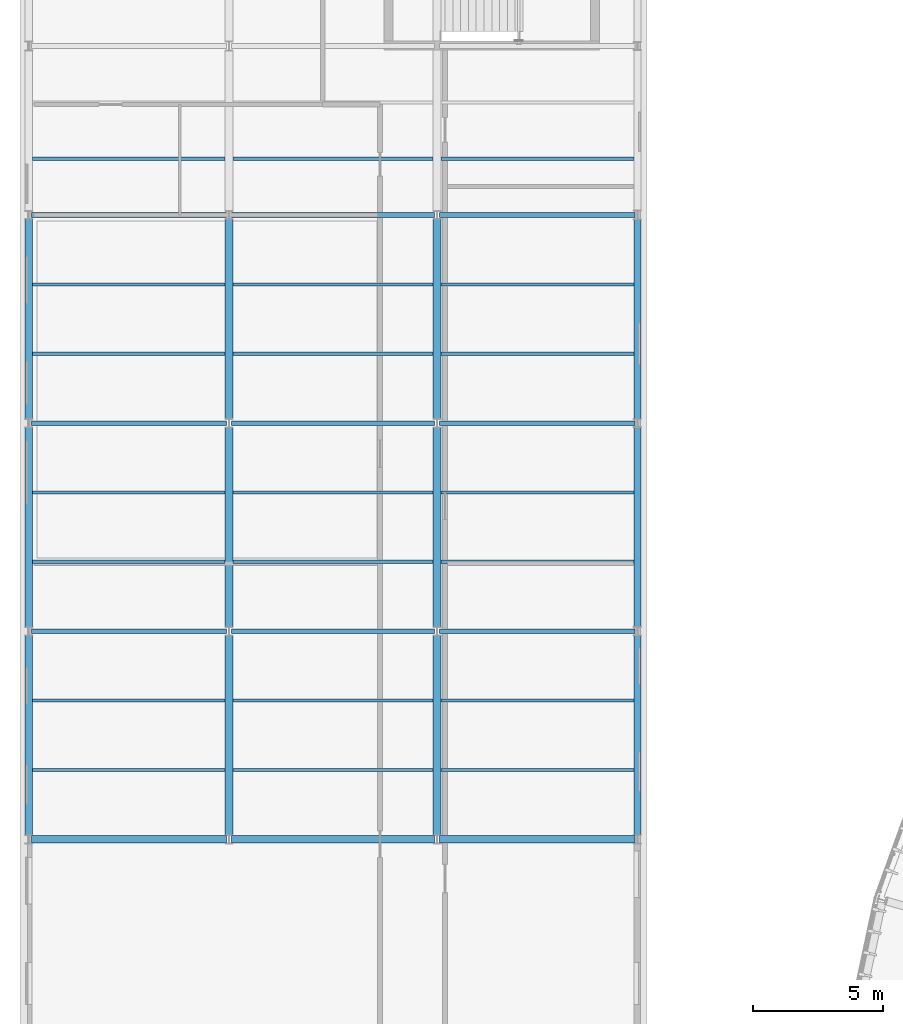
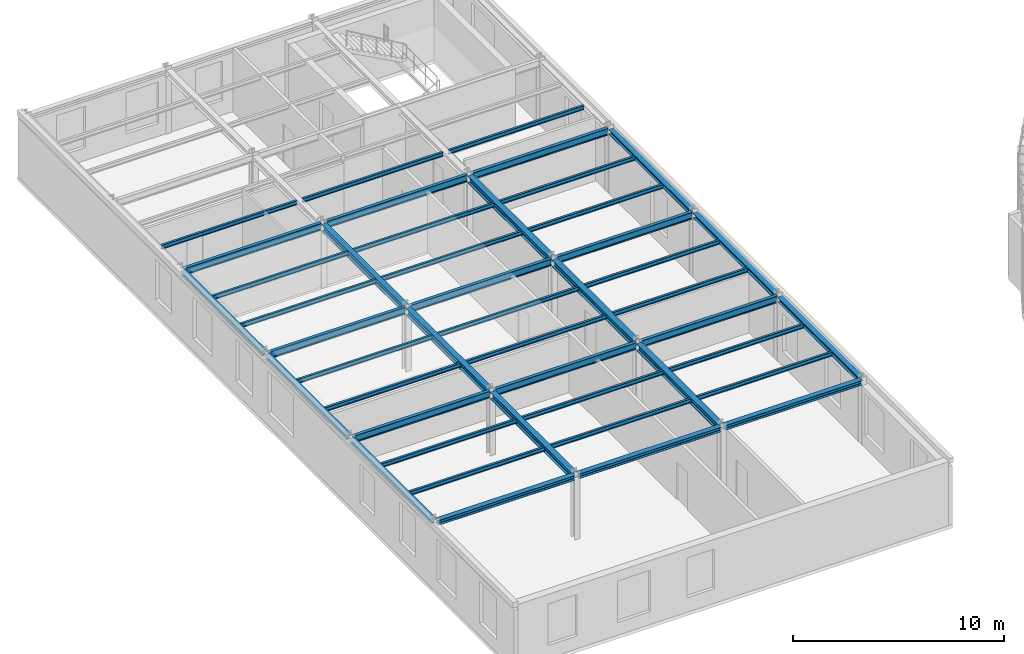
# One storey, part 10 of 41: 45 beams.
"""IFC4 building model written with IfcOpenShell, lengths in metres."""

import ifcopenshell
import ifcopenshell.guid

model = None  # the IFC model being written
_history = None  # IfcOwnerHistory: only IFC2X3 demands one
_inside = {}  # id of a spatial element -> (the spatial element, [elements in it])
_under = {}  # id of a project, library or spatial element -> (it, [spatial elements below it])
_declared = {}  # id of a project -> (the project, [libraries it declares])
_typed = {}  # id of a type object -> (the type object, [elements of that type])
_made_of = {}  # id of a material, layer set ... -> (it, [elements and type objects made of it])


def new_model(schema):
    """Start an empty IFC model of exactly this schema.

    Asked for "IFC4X3", IfcOpenShell would pick the latest addendum, in which some entities
    have other attributes; the version numbers below select the first issue.
    IFC2X3 requires an IfcOwnerHistory on every rooted entity: one is made here for all.
    """
    global model, _history
    if schema == "IFC4X3":
        model = ifcopenshell.file(schema_version=(4, 3, 0, 0))
    else:
        model = ifcopenshell.file(schema=schema)
    _inside.clear()
    _under.clear()
    _declared.clear()
    _typed.clear()
    _made_of.clear()
    _history = None
    if model.schema == "IFC2X3":
        org = make("IfcOrganization", Name="unknown")
        user = make(
            "IfcPersonAndOrganization",
            ThePerson=make("IfcPerson", FamilyName="unknown"),
            TheOrganization=org,
        )
        app = make(
            "IfcApplication",
            ApplicationDeveloper=org,
            Version="unknown",
            ApplicationFullName="unknown",
            ApplicationIdentifier="unknown",
        )
        _history = make(
            "IfcOwnerHistory",
            OwningUser=user,
            OwningApplication=app,
            ChangeAction="ADDED",
            CreationDate=0,
        )
    return model


def make(cls, **values):
    """One entity of the class cls with the attributes given. An attribute that is None is left unset."""
    return model.create_entity(
        cls, **{name: value for name, value in values.items() if value is not None}
    )


def rooted(cls, **values):
    """An entity with a GlobalId (a new one), such as an element, a storey or a relation."""
    return make(cls, GlobalId=ifcopenshell.guid.new(), OwnerHistory=_history, **values)


def si_unit(unit_type, name, prefix=None):
    """IfcSIUnit, for example si_unit("LENGTHUNIT", "METRE", prefix="MILLI")."""
    return make("IfcSIUnit", UnitType=unit_type, Prefix=prefix, Name=name)


def assignment(units):
    """IfcUnitAssignment: the units of a project."""
    return None if units is None else make("IfcUnitAssignment", Units=units)


def point(xyz):
    """IfcCartesianPoint."""
    return None if xyz is None else make("IfcCartesianPoint", Coordinates=xyz)


def direction(xyz):
    """IfcDirection."""
    return None if xyz is None else make("IfcDirection", DirectionRatios=xyz)


def frame(location, z_axis=None, x_axis=None):
    """IfcAxis2Placement3D, a coordinate frame: its origin and axes. An axis left out is left unset."""
    return make(
        "IfcAxis2Placement3D",
        Location=point(location),
        Axis=direction(z_axis),
        RefDirection=direction(x_axis),
    )


def frame_2d(location, x_axis=None):
    """IfcAxis2Placement2D, a coordinate frame in the plane: its origin and x axis."""
    return make(
        "IfcAxis2Placement2D", Location=point(location), RefDirection=direction(x_axis)
    )


def origin():
    """The frame at (0, 0, 0) with its axes left unset."""
    return frame((0.0, 0.0, 0.0))


def origin_2d():
    """The frame at (0, 0) in the plane with its x axis left unset."""
    return frame_2d((0.0, 0.0))


def place(relative_to, where):
    """IfcLocalPlacement: puts the frame where relative to a parent placement (None: the world)."""
    return make(
        "IfcLocalPlacement", PlacementRelTo=relative_to, RelativePlacement=where
    )


def context(
    kind, dimensions, precision=None, world=None, true_north=None, identifier=None
):
    """IfcGeometricRepresentationContext, for example the 3D "Model" context."""
    return make(
        "IfcGeometricRepresentationContext",
        ContextIdentifier=identifier,
        ContextType=kind,
        CoordinateSpaceDimension=dimensions,
        Precision=precision,
        WorldCoordinateSystem=world,
        TrueNorth=true_north,
    )


def subcontext(parent, identifier, kind, view, scale=None):
    """IfcGeometricRepresentationSubContext, for example "Body" below "Model"."""
    return make(
        "IfcGeometricRepresentationSubContext",
        ContextIdentifier=identifier,
        ContextType=kind,
        ParentContext=parent,
        TargetScale=scale,
        TargetView=view,
    )


def project(units=None, contexts=None):
    """IfcProject with its units and contexts."""
    return rooted(
        "IfcProject",
        Name="project",
        RepresentationContexts=contexts,
        UnitsInContext=assignment(units),
    )


def spatial(cls, under=None, at=None, **own):
    """A site, building, storey or space (cls), placed at a placement, below another one or the project."""
    s = rooted(cls, ObjectPlacement=at, **own)
    if under is not None:
        _under.setdefault(under.id(), (under, []))[1].append(s)
    return s


def profile(cls, at=None, kind="AREA", **sizes):
    """A parametric profile (cls). Its sizes go by their IFC names, for example OverallWidth=200.0."""
    return make(cls, ProfileType=kind, Position=at, **sizes)


def i_section(**sizes):
    """IfcIShapeProfileDef."""
    return profile("IfcIShapeProfileDef", **sizes)


def extrude(swept, where, along, depth):
    """IfcExtrudedAreaSolid: the profile swept, set in the frame where, extruded along a direction by depth."""
    return make(
        "IfcExtrudedAreaSolid",
        SweptArea=swept,
        Position=where,
        ExtrudedDirection=direction(along),
        Depth=depth,
    )


def shape(context_of_items, identifier, shape_type, items):
    """IfcShapeRepresentation: the items that make up one representation, for example the "Body"."""
    return make(
        "IfcShapeRepresentation",
        ContextOfItems=context_of_items,
        RepresentationIdentifier=identifier,
        RepresentationType=shape_type,
        Items=items,
    )


def material(Name=None, Category=None):
    """IfcMaterial."""
    return make("IfcMaterial", Name=Name, Category=Category)


def material_profile(
    of_material, cross_section, Name=None, Category=None, Priority=None
):
    """IfcMaterialProfile: a cross section and its material."""
    return make(
        "IfcMaterialProfile",
        Name=Name,
        Material=of_material,
        Profile=cross_section,
        Priority=Priority,
        Category=Category,
    )


def profile_set(profiles, Name=None, composite=None):
    """IfcMaterialProfileSet."""
    return make(
        "IfcMaterialProfileSet",
        Name=Name,
        MaterialProfiles=profiles,
        CompositeProfile=composite,
    )


def made_of(thing, what):
    """Note that an element or type object is made of a material, layer set ...; save() writes the relation."""
    if what is not None:
        _made_of.setdefault(what.id(), (what, []))[1].append(thing)
    return thing


def type_object(cls, material=None, **own):
    """A type object (cls), such as IfcWallType, which elements share."""
    return made_of(rooted(cls, **own), material)


def element(
    cls,
    number,
    at=None,
    inside=None,
    cuts=None,
    type_object=None,
    material=None,
    context=None,
    identifier="Body",
    shape_type=None,
    held_by="IfcProductDefinitionShape",
    body=None,
    shapes=None,
    **own,
):
    """One element of the class cls, such as IfcWall. Its Tag is "e" and its number.

    at: its placement. inside: the storey or other place that contains it. cuts: it is an
    opening in that element (IfcRelVoidsElement). A single representation is given by context,
    identifier, shape_type and body (its items); several are given by shapes. held_by: the class
    of the entity that holds the representations. save() writes the other relations.
    """
    e = rooted(cls, Tag="e%d" % number, ObjectPlacement=at, **own)
    if body is not None:
        shapes = [shape(context, identifier, shape_type, body)]
    if shapes is not None:
        e.Representation = make(held_by, Representations=shapes)
    if inside is not None:
        _inside.setdefault(inside.id(), (inside, []))[1].append(e)
    if cuts is not None:
        rooted(
            "IfcRelVoidsElement", RelatingBuildingElement=cuts, RelatedOpeningElement=e
        )
    if type_object is not None:
        _typed.setdefault(type_object.id(), (type_object, []))[1].append(e)
    return made_of(e, material)


def aggregate(whole, parts):
    """IfcRelAggregates: a whole, such as a stair, and the parts it consists of."""
    return rooted("IfcRelAggregates", RelatingObject=whole, RelatedObjects=parts)


def save(model, path):
    """Write the relations noted so far, then the file.

    IfcRelAggregates (storeys below a building ...), IfcRelContainedInSpatialStructure (elements
    in a storey), IfcRelDefinesByType, IfcRelAssociatesMaterial and IfcRelDeclares: one each for
    every whole, place, type object, material and project.
    """
    for whole, parts in _under.values():
        aggregate(whole, parts)
    for where, things in _inside.values():
        rooted(
            "IfcRelContainedInSpatialStructure",
            RelatedElements=things,
            RelatingStructure=where,
        )
    for kind, things in _typed.values():
        rooted("IfcRelDefinesByType", RelatedObjects=things, RelatingType=kind)
    for what, things in _made_of.values():
        rooted("IfcRelAssociatesMaterial", RelatedObjects=things, RelatingMaterial=what)
    for by, libraries in _declared.values():
        rooted("IfcRelDeclares", RelatingContext=by, RelatedDefinitions=libraries)
    model.write(path)


model = new_model("IFC4")

# Units and contexts
model_context = context("Model", 3, precision=1e-05, world=origin(), true_north=direction((0.0, 1.0)))
body_context = subcontext(model_context, "Body", "Model", "MODEL_VIEW")
ifc_project = project(units=[si_unit("LENGTHUNIT", "METRE"), si_unit("AREAUNIT", "SQUARE_METRE"), si_unit("VOLUMEUNIT", "CUBIC_METRE"), si_unit("PLANEANGLEUNIT", "RADIAN"), si_unit("MASSUNIT", "GRAM", prefix="KILO"), si_unit("THERMODYNAMICTEMPERATUREUNIT", "KELVIN"), si_unit("POWERUNIT", "WATT")], contexts=[model_context])

# Site, building, storey
site_placement = place(None, origin())
site = spatial("IfcSite", under=ifc_project, at=site_placement, CompositionType="ELEMENT")
building_placement = place(site_placement, origin())
building = spatial("IfcBuilding", under=site, at=building_placement, Name="Solvatero Civic Police Headquarters", CompositionType="ELEMENT")
storey_placement = place(building_placement, frame((0.0, 0.0, 17.699951171875)))
storey = spatial("IfcBuildingStorey", under=building, at=storey_placement, Name="L04", CompositionType="ELEMENT", Elevation=17.699951171875)

# Beams
ifc_material = material(Name="Steel S355", Category="steel")
ifc_material_profile_1 = material_profile(ifc_material, i_section(OverallWidth=0.280029296875, OverallDepth=0.27001953125, WebThickness=0.008056640625, FlangeThickness=0.012939453125, FilletRadius=0.02392578125, at=origin_2d()), Name="HEA 280")
ifc_profile_set_1 = profile_set([ifc_material_profile_1], Name="Steel S355")
beam_type_1 = type_object("IfcBeamType", Name="BM-ST-HEA280", PredefinedType="SPANDREL", material=ifc_profile_set_1)
beam_1_placement = place(storey_placement, frame((4.89990234375, 44.5, 3.56494140625), z_axis=(1.0, 0.0, 0.0), x_axis=(0.0, 1.0, 0.0)))
element("IfcBeam", 1, at=beam_1_placement, inside=storey, type_object=beam_type_1, Name="Perimeter / radial spandrel beam BM-R2-L04-V6-GX-1-1", PredefinedType="SPANDREL", context=body_context, shape_type="SweptSolid", body=[
    extrude(i_section(OverallWidth=0.280029296875, OverallDepth=0.27001953125, WebThickness=0.008056640625, FlangeThickness=0.012939453125, FilletRadius=0.02392578125, at=origin_2d()), origin(), (0.0, 0.0, 1.0), 7.5),
])
beam_2_placement = place(storey_placement, frame((12.60009765625, 44.5, 3.56494140625), z_axis=(1.0, 0.0, 0.0), x_axis=(0.0, 1.0, 0.0)))
element("IfcBeam", 2, at=beam_2_placement, inside=storey, type_object=beam_type_1, Name="Perimeter / radial spandrel beam BM-R2-L04-V6-GX-2-1", PredefinedType="SPANDREL", context=body_context, shape_type="SweptSolid", body=[
    extrude(i_section(OverallWidth=0.280029296875, OverallDepth=0.27001953125, WebThickness=0.008056640625, FlangeThickness=0.012939453125, FilletRadius=0.02392578125, at=origin_2d()), origin(), (0.0, 0.0, 1.0), 7.7998046875),
])
beam_3_placement = place(storey_placement, frame((20.60009765625, 44.5, 3.56494140625), z_axis=(1.0, 0.0, 0.0), x_axis=(0.0, 1.0, 0.0)))
element("IfcBeam", 3, at=beam_3_placement, inside=storey, type_object=beam_type_1, Name="Perimeter / radial spandrel beam BM-R2-L04-V6-GX-3-1", PredefinedType="SPANDREL", context=body_context, shape_type="SweptSolid", body=[
    extrude(i_section(OverallWidth=0.280029296875, OverallDepth=0.27001953125, WebThickness=0.008056640625, FlangeThickness=0.012939453125, FilletRadius=0.02392578125, at=origin_2d()), origin(), (0.0, 0.0, 1.0), 7.5),
])
for number, where, z_axis, x_axis, name in (
    (4, (4.800048828125, 44.659912109375, 3.56494140625), (0.0, 1.0, 0.0), (-1.0, 0.0, 0.0), "Perimeter / radial spandrel beam BM-R2-L04-V6-GY-1-1"),
    (5, (4.800048828125, 52.659912109375, 3.56494140625), (0.0, 1.0, 0.0), (-1.0, 0.0, 0.0), "Perimeter / radial spandrel beam BM-R2-L04-V6-GY-1-2"),
    (6, (4.800048828125, 60.659912109375, 3.56494140625), (0.0, 1.0, 0.0), (-1.0, 0.0, 0.0), "Perimeter / radial spandrel beam BM-R2-L04-V6-GY-1-3"),
    (7, (28.199951171875, 44.659912109375, 3.56494140625), (0.0, 1.0, 0.0), (-1.0, 0.0, 0.0), "Perimeter / radial spandrel beam BM-R2-L04-V6-GY-4-1"),
    (8, (28.199951171875, 52.659912109375, 3.56494140625), (0.0, 1.0, 0.0), (-1.0, 0.0, 0.0), "Perimeter / radial spandrel beam BM-R2-L04-V6-GY-4-2"),
    (9, (28.199951171875, 60.659912109375, 3.56494140625), (0.0, 1.0, 0.0), (-1.0, 0.0, 0.0), "Perimeter / radial spandrel beam BM-R2-L04-V6-GY-4-3"),
):
    element("IfcBeam", number, at=place(storey_placement, frame(where, z_axis=z_axis, x_axis=x_axis)), inside=storey, type_object=beam_type_1, Name=name, PredefinedType="SPANDREL", context=body_context, shape_type="SweptSolid", body=[
        extrude(i_section(OverallWidth=0.280029296875, OverallDepth=0.27001953125, WebThickness=0.008056640625, FlangeThickness=0.012939453125, FilletRadius=0.02392578125, at=origin_2d()), origin(), (0.0, 0.0, 1.0), 7.68017578125),
    ])
ifc_material_profile_2 = material_profile(ifc_material, i_section(OverallWidth=0.300048828125, OverallDepth=0.389892578125, WebThickness=0.010986328125, FlangeThickness=0.01904296875, FilletRadius=0.027099609375, at=origin_2d()), Name="HEA 400")
ifc_profile_set_2 = profile_set([ifc_material_profile_2], Name="Steel S355")
beam_type_2 = type_object("IfcBeamType", Name="BM-ST-HEA400", PredefinedType="BEAM", material=ifc_profile_set_2)
for number, where, z_axis, x_axis, name in (
    (10, (12.5, 44.659912109375, 3.505126953125), (0.0, 1.0, 0.0), (-1.0, 0.0, 0.0), "Primary girder BM-R2-L04-V6-GY-2-1"),
    (11, (12.5, 52.659912109375, 3.505126953125), (0.0, 1.0, 0.0), (-1.0, 0.0, 0.0), "Primary girder BM-R2-L04-V6-GY-2-2"),
    (12, (12.5, 60.659912109375, 3.505126953125), (0.0, 1.0, 0.0), (-1.0, 0.0, 0.0), "Primary girder BM-R2-L04-V6-GY-2-3"),
    (13, (20.5, 44.659912109375, 3.505126953125), (0.0, 1.0, 0.0), (-1.0, 0.0, 0.0), "Primary girder BM-R2-L04-V6-GY-3-1"),
    (14, (20.5, 52.659912109375, 3.505126953125), (0.0, 1.0, 0.0), (-1.0, 0.0, 0.0), "Primary girder BM-R2-L04-V6-GY-3-2"),
    (15, (20.5, 60.659912109375, 3.505126953125), (0.0, 1.0, 0.0), (-1.0, 0.0, 0.0), "Primary girder BM-R2-L04-V6-GY-3-3"),
):
    element("IfcBeam", number, at=place(storey_placement, frame(where, z_axis=z_axis, x_axis=x_axis)), inside=storey, type_object=beam_type_2, Name=name, PredefinedType="BEAM", context=body_context, shape_type="SweptSolid", body=[
        extrude(i_section(OverallWidth=0.300048828125, OverallDepth=0.389892578125, WebThickness=0.010986328125, FlangeThickness=0.01904296875, FilletRadius=0.027099609375, at=origin_2d()), origin(), (0.0, 0.0, 1.0), 7.68017578125),
    ])
ifc_material_profile_3 = material_profile(ifc_material, i_section(OverallWidth=0.1201171875, OverallDepth=0.239990234375, WebThickness=0.006103515625, FlangeThickness=0.009765625, FilletRadius=0.014892578125, at=origin_2d()), Name="IPE 240")
ifc_profile_set_3 = profile_set([ifc_material_profile_3], Name="Steel S355")
beam_type_3 = type_object("IfcBeamType", Name="BM-ST-IPE240", PredefinedType="BEAM", material=ifc_profile_set_3)
for number, where, z_axis, x_axis, name in (
    (16, (4.93994140625, 47.166748046875, 3.580078125), (1.0, 0.0, 0.0), (0.0, 1.0, 0.0), "Composite floor beam BM-R2-L04-V6-SEC-1-1-S1"),
    (17, (4.93994140625, 49.833251953125, 3.580078125), (1.0, 0.0, 0.0), (0.0, 1.0, 0.0), "Composite floor beam BM-R2-L04-V6-SEC-1-1-S2"),
    (18, (4.93994140625, 55.166748046875, 3.580078125), (1.0, 0.0, 0.0), (0.0, 1.0, 0.0), "Composite floor beam BM-R2-L04-V6-SEC-1-2-S1"),
    (19, (4.93994140625, 57.833251953125, 3.580078125), (1.0, 0.0, 0.0), (0.0, 1.0, 0.0), "Composite floor beam BM-R2-L04-V6-SEC-1-2-S2"),
    (20, (4.93994140625, 63.166748046875, 3.580078125), (1.0, 0.0, 0.0), (0.0, 1.0, 0.0), "Composite floor beam BM-R2-L04-V6-SEC-1-3-S1"),
    (21, (4.93994140625, 65.833251953125, 3.580078125), (1.0, 0.0, 0.0), (0.0, 1.0, 0.0), "Composite floor beam BM-R2-L04-V6-SEC-1-3-S2"),
    (22, (4.93994140625, 70.666748046875, 3.580078125), (1.0, 0.0, 0.0), (0.0, 1.0, 0.0), "Composite floor beam BM-R2-L04-V6-SEC-1-4-S1"),
):
    element("IfcBeam", number, at=place(storey_placement, frame(where, z_axis=z_axis, x_axis=x_axis)), inside=storey, type_object=beam_type_3, Name=name, PredefinedType="BEAM", context=body_context, shape_type="SweptSolid", body=[
        extrude(i_section(OverallWidth=0.1201171875, OverallDepth=0.239990234375, WebThickness=0.006103515625, FlangeThickness=0.009765625, FilletRadius=0.014892578125, at=origin_2d()), origin(), (0.0, 0.0, 1.0), 7.41015625),
    ])
for number, where, z_axis, x_axis, name in (
    (23, (12.64990234375, 47.166748046875, 3.580078125), (1.0, 0.0, 0.0), (0.0, 1.0, 0.0), "Composite floor beam BM-R2-L04-V6-SEC-2-1-S1"),
    (24, (12.64990234375, 49.833251953125, 3.580078125), (1.0, 0.0, 0.0), (0.0, 1.0, 0.0), "Composite floor beam BM-R2-L04-V6-SEC-2-1-S2"),
    (25, (12.64990234375, 55.166748046875, 3.580078125), (1.0, 0.0, 0.0), (0.0, 1.0, 0.0), "Composite floor beam BM-R2-L04-V6-SEC-2-2-S1"),
    (26, (12.64990234375, 57.833251953125, 3.580078125), (1.0, 0.0, 0.0), (0.0, 1.0, 0.0), "Composite floor beam BM-R2-L04-V6-SEC-2-2-S2"),
    (27, (12.64990234375, 63.166748046875, 3.580078125), (1.0, 0.0, 0.0), (0.0, 1.0, 0.0), "Composite floor beam BM-R2-L04-V6-SEC-2-3-S1"),
    (28, (12.64990234375, 65.833251953125, 3.580078125), (1.0, 0.0, 0.0), (0.0, 1.0, 0.0), "Composite floor beam BM-R2-L04-V6-SEC-2-3-S2"),
    (29, (12.64990234375, 70.666748046875, 3.580078125), (1.0, 0.0, 0.0), (0.0, 1.0, 0.0), "Composite floor beam BM-R2-L04-V6-SEC-2-4-S1"),
):
    element("IfcBeam", number, at=place(storey_placement, frame(where, z_axis=z_axis, x_axis=x_axis)), inside=storey, type_object=beam_type_3, Name=name, PredefinedType="BEAM", context=body_context, shape_type="SweptSolid", body=[
        extrude(i_section(OverallWidth=0.1201171875, OverallDepth=0.239990234375, WebThickness=0.006103515625, FlangeThickness=0.009765625, FilletRadius=0.014892578125, at=origin_2d()), origin(), (0.0, 0.0, 1.0), 7.7001953125),
    ])
for number, where, z_axis, x_axis, name in (
    (30, (20.64990234375, 47.166748046875, 3.580078125), (1.0, 0.0, 0.0), (0.0, 1.0, 0.0), "Composite floor beam BM-R2-L04-V6-SEC-3-1-S1"),
    (31, (20.64990234375, 49.833251953125, 3.580078125), (1.0, 0.0, 0.0), (0.0, 1.0, 0.0), "Composite floor beam BM-R2-L04-V6-SEC-3-1-S2"),
    (32, (20.64990234375, 55.166748046875, 3.580078125), (1.0, 0.0, 0.0), (0.0, 1.0, 0.0), "Composite floor beam BM-R2-L04-V6-SEC-3-2-S1"),
    (33, (20.64990234375, 57.833251953125, 3.580078125), (1.0, 0.0, 0.0), (0.0, 1.0, 0.0), "Composite floor beam BM-R2-L04-V6-SEC-3-2-S2"),
    (34, (20.64990234375, 63.166748046875, 3.580078125), (1.0, 0.0, 0.0), (0.0, 1.0, 0.0), "Composite floor beam BM-R2-L04-V6-SEC-3-3-S1"),
    (35, (20.64990234375, 65.833251953125, 3.580078125), (1.0, 0.0, 0.0), (0.0, 1.0, 0.0), "Composite floor beam BM-R2-L04-V6-SEC-3-3-S2"),
    (36, (20.64990234375, 70.666748046875, 3.580078125), (1.0, 0.0, 0.0), (0.0, 1.0, 0.0), "Composite floor beam BM-R2-L04-V6-SEC-3-4-S1"),
):
    element("IfcBeam", number, at=place(storey_placement, frame(where, z_axis=z_axis, x_axis=x_axis)), inside=storey, type_object=beam_type_3, Name=name, PredefinedType="BEAM", context=body_context, shape_type="SweptSolid", body=[
        extrude(i_section(OverallWidth=0.1201171875, OverallDepth=0.239990234375, WebThickness=0.006103515625, FlangeThickness=0.009765625, FilletRadius=0.014892578125, at=origin_2d()), origin(), (0.0, 0.0, 1.0), 7.41015625),
    ])
ifc_material_profile_4 = material_profile(ifc_material, i_section(OverallWidth=0.179931640625, OverallDepth=0.39990234375, WebThickness=0.008544921875, FlangeThickness=0.013427734375, FilletRadius=0.02099609375, at=origin_2d()), Name="IPE 400")
ifc_profile_set_4 = profile_set([ifc_material_profile_4], Name="Steel S355")
beam_type_4 = type_object("IfcBeamType", Name="BM-ST-IPE400", PredefinedType="BEAM", material=ifc_profile_set_4)
beam_4_placement = place(storey_placement, frame((4.89990234375, 52.5, 3.5), z_axis=(1.0, 0.0, 0.0), x_axis=(0.0, 1.0, 0.0)))
element("IfcBeam", 37, at=beam_4_placement, inside=storey, type_object=beam_type_4, Name="Primary girder BM-R2-L04-V6-GX-1-2", PredefinedType="BEAM", context=body_context, shape_type="SweptSolid", body=[
    extrude(i_section(OverallWidth=0.179931640625, OverallDepth=0.39990234375, WebThickness=0.008544921875, FlangeThickness=0.013427734375, FilletRadius=0.02099609375, at=origin_2d()), origin(), (0.0, 0.0, 1.0), 7.5),
])
beam_5_placement = place(storey_placement, frame((12.60009765625, 52.5, 3.5), z_axis=(1.0, 0.0, 0.0), x_axis=(0.0, 1.0, 0.0)))
element("IfcBeam", 38, at=beam_5_placement, inside=storey, type_object=beam_type_4, Name="Primary girder BM-R2-L04-V6-GX-2-2", PredefinedType="BEAM", context=body_context, shape_type="SweptSolid", body=[
    extrude(i_section(OverallWidth=0.179931640625, OverallDepth=0.39990234375, WebThickness=0.008544921875, FlangeThickness=0.013427734375, FilletRadius=0.02099609375, at=origin_2d()), origin(), (0.0, 0.0, 1.0), 7.7998046875),
])
for number, where, z_axis, x_axis, name in (
    (39, (20.60009765625, 52.5, 3.5), (1.0, 0.0, 0.0), (0.0, 1.0, 0.0), "Primary girder BM-R2-L04-V6-GX-3-2"),
    (40, (4.89990234375, 60.5, 3.5), (1.0, 0.0, 0.0), (0.0, 1.0, 0.0), "Primary girder BM-R2-L04-V6-GX-1-3"),
):
    element("IfcBeam", number, at=place(storey_placement, frame(where, z_axis=z_axis, x_axis=x_axis)), inside=storey, type_object=beam_type_4, Name=name, PredefinedType="BEAM", context=body_context, shape_type="SweptSolid", body=[
        extrude(i_section(OverallWidth=0.179931640625, OverallDepth=0.39990234375, WebThickness=0.008544921875, FlangeThickness=0.013427734375, FilletRadius=0.02099609375, at=origin_2d()), origin(), (0.0, 0.0, 1.0), 7.5),
    ])
beam_6_placement = place(storey_placement, frame((12.60009765625, 60.5, 3.5), z_axis=(1.0, 0.0, 0.0), x_axis=(0.0, 1.0, 0.0)))
element("IfcBeam", 41, at=beam_6_placement, inside=storey, type_object=beam_type_4, Name="Primary girder BM-R2-L04-V6-GX-2-3", PredefinedType="BEAM", context=body_context, shape_type="SweptSolid", body=[
    extrude(i_section(OverallWidth=0.179931640625, OverallDepth=0.39990234375, WebThickness=0.008544921875, FlangeThickness=0.013427734375, FilletRadius=0.02099609375, at=origin_2d()), origin(), (0.0, 0.0, 1.0), 7.7998046875),
])
for number, where, z_axis, x_axis, name in (
    (42, (20.60009765625, 60.5, 3.5), (1.0, 0.0, 0.0), (0.0, 1.0, 0.0), "Primary girder BM-R2-L04-V6-GX-3-3"),
    (43, (4.89990234375, 68.5, 3.5), (1.0, 0.0, 0.0), (0.0, 1.0, 0.0), "Primary girder BM-R2-L04-V6-GX-1-4"),
):
    element("IfcBeam", number, at=place(storey_placement, frame(where, z_axis=z_axis, x_axis=x_axis)), inside=storey, type_object=beam_type_4, Name=name, PredefinedType="BEAM", context=body_context, shape_type="SweptSolid", body=[
        extrude(i_section(OverallWidth=0.179931640625, OverallDepth=0.39990234375, WebThickness=0.008544921875, FlangeThickness=0.013427734375, FilletRadius=0.02099609375, at=origin_2d()), origin(), (0.0, 0.0, 1.0), 7.5),
    ])
beam_7_placement = place(storey_placement, frame((12.60009765625, 68.5, 3.5), z_axis=(1.0, 0.0, 0.0), x_axis=(0.0, 1.0, 0.0)))
element("IfcBeam", 44, at=beam_7_placement, inside=storey, type_object=beam_type_4, Name="Primary girder BM-R2-L04-V6-GX-2-4", PredefinedType="BEAM", context=body_context, shape_type="SweptSolid", body=[
    extrude(i_section(OverallWidth=0.179931640625, OverallDepth=0.39990234375, WebThickness=0.008544921875, FlangeThickness=0.013427734375, FilletRadius=0.02099609375, at=origin_2d()), origin(), (0.0, 0.0, 1.0), 7.7998046875),
])
beam_8_placement = place(storey_placement, frame((20.60009765625, 68.5, 3.5), z_axis=(1.0, 0.0, 0.0), x_axis=(0.0, 1.0, 0.0)))
element("IfcBeam", 45, at=beam_8_placement, inside=storey, type_object=beam_type_4, Name="Primary girder BM-R2-L04-V6-GX-3-4", PredefinedType="BEAM", context=body_context, shape_type="SweptSolid", body=[
    extrude(i_section(OverallWidth=0.179931640625, OverallDepth=0.39990234375, WebThickness=0.008544921875, FlangeThickness=0.013427734375, FilletRadius=0.02099609375, at=origin_2d()), origin(), (0.0, 0.0, 1.0), 7.5),
])

save(model, "model.ifc")
